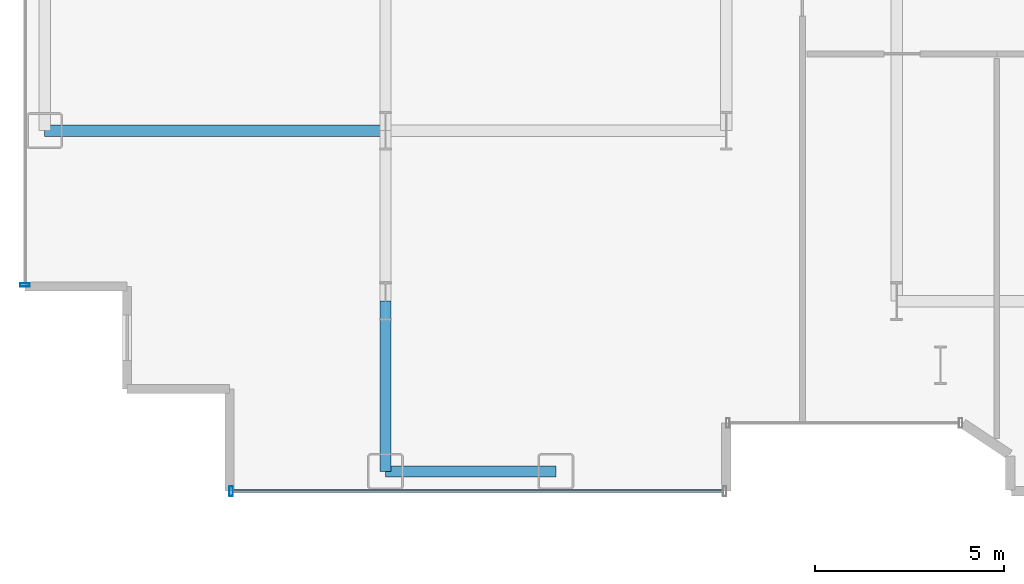
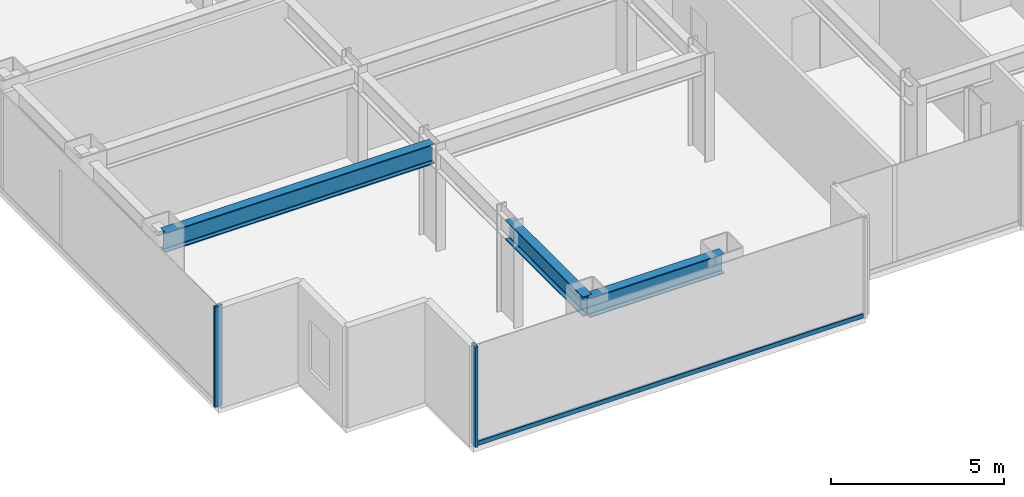
# One storey, part 2 of 25: 3 beams, 3 members, 2 elements without a shape of their own.
"""IFC4 building model written with IfcOpenShell, lengths in metres."""

from ifc_helpers import new_model, si_unit, direction, frame, origin, origin_2d, place, context, subcontext, project, spatial, hollow_rectangle, i_section, extrude, source, transform, mapped, material, layer, layer_set, material_profile, profile_set, type_object, element, aggregate, save


model = new_model("IFC4")

# Units and contexts
model_context = context("Model", 3, precision=1e-05, world=origin(), true_north=direction((0.0, 1.0)))
body_context = subcontext(model_context, "Body", "Model", "MODEL_VIEW")
ifc_project = project(units=[si_unit("LENGTHUNIT", "METRE"), si_unit("AREAUNIT", "SQUARE_METRE"), si_unit("VOLUMEUNIT", "CUBIC_METRE"), si_unit("PLANEANGLEUNIT", "RADIAN"), si_unit("MASSUNIT", "GRAM", prefix="KILO")], contexts=[model_context])

# Site, building, storey
site_placement = place(None, origin())
site = spatial("IfcSite", under=ifc_project, at=site_placement, CompositionType="ELEMENT")
building_placement = place(site_placement, origin())
building = spatial("IfcBuilding", under=site, at=building_placement, Name="Nefas-Gora Pilgrimage Tower", CompositionType="ELEMENT")
storey_placement = place(building_placement, frame((0.0, 0.0, 52.0)))
storey = spatial("IfcBuildingStorey", under=building, at=storey_placement, Name="L11", CompositionType="ELEMENT", Elevation=52.0)

# Beams
ifc_material_1 = material(Name="Steel S355", Category="steel")
ifc_material_profile_1 = material_profile(ifc_material_1, i_section(OverallWidth=0.300048828125, OverallDepth=0.699951171875, WebThickness=0.01708984375, FlangeThickness=0.031982421875, FilletRadius=0.027099609375, at=origin_2d()), Name="HEB 700")
ifc_profile_set_1 = profile_set([ifc_material_profile_1], Name="Steel S355")
beam_type_1 = type_object("IfcBeamType", Name="BM-SPN-HEB600", PredefinedType="SPANDREL", material=ifc_profile_set_1)
shared_shape_1 = source(origin(), body_context, "Body", "SweptSolid", [
    extrude(i_section(OverallWidth=0.300048828125, OverallDepth=0.699951171875, WebThickness=0.01708984375, FlangeThickness=0.031982421875, FilletRadius=0.027099609375, at=origin_2d()), origin(), (0.0, 0.0, 1.0), 4.5),
])
beam_1_placement = place(storey_placement, frame((-24.75, -22.5, 3.199951171875), z_axis=(1.0, 0.0, 0.0), x_axis=(0.0, 1.0, 0.0)))
element("IfcBeam", 1, at=beam_1_placement, inside=storey, type_object=beam_type_1, Name="L11 SP-01 beam", PredefinedType="SPANDREL", context=body_context, shape_type="MappedRepresentation", body=[
    mapped(shared_shape_1, transform((0.0, 0.0, 0.0), x_axis=(1.0, 0.0, 0.0), y_axis=(0.0, 1.0, 0.0), z_axis=(0.0, 0.0, 1.0), scale=1.0)),
])
ifc_material_profile_2 = material_profile(ifc_material_1, i_section(OverallWidth=0.300048828125, OverallDepth=0.699951171875, WebThickness=0.01708984375, FlangeThickness=0.031982421875, FilletRadius=0.027099609375, at=origin_2d()), Name="HEB 700")
ifc_profile_set_2 = profile_set([ifc_material_profile_2], Name="Steel S355")
beam_type_2 = type_object("IfcBeamType", Name="BM-GIR-HEB700", PredefinedType="BEAM", material=ifc_profile_set_2)
shared_shape_2 = source(origin(), body_context, "Body", "SweptSolid", [
    extrude(i_section(OverallWidth=0.300048828125, OverallDepth=0.699951171875, WebThickness=0.01708984375, FlangeThickness=0.031982421875, FilletRadius=0.027099609375, at=origin_2d()), origin(), (0.0, 0.0, 1.0), 9.0),
])
beam_2_placement = place(storey_placement, frame((-33.75, -13.5, 3.199951171875), z_axis=(1.0, 0.0, 0.0), x_axis=(0.0, 1.0, 0.0)))
element("IfcBeam", 2, at=beam_2_placement, inside=storey, type_object=beam_type_2, Name="L11 G-02 beam", PredefinedType="BEAM", context=body_context, shape_type="MappedRepresentation", body=[
    mapped(shared_shape_2, transform((0.0, 0.0, 0.0), x_axis=(1.0, 0.0, 0.0), y_axis=(0.0, 1.0, 0.0), z_axis=(0.0, 0.0, 1.0), scale=1.0)),
])
shared_shape_3 = source(origin(), body_context, "Body", "SweptSolid", [
    extrude(i_section(OverallWidth=0.300048828125, OverallDepth=0.699951171875, WebThickness=0.01708984375, FlangeThickness=0.031982421875, FilletRadius=0.027099609375, at=origin_2d()), origin(), (0.0, 0.0, 1.0), 4.5),
])
beam_3_placement = place(storey_placement, frame((-24.75, -22.5, 3.199951171875), z_axis=(0.0, 1.0, 0.0), x_axis=(-1.0, 0.0, 0.0)))
element("IfcBeam", 3, at=beam_3_placement, inside=storey, type_object=beam_type_2, Name="L11 G-02 beam", PredefinedType="BEAM", context=body_context, shape_type="MappedRepresentation", body=[
    mapped(shared_shape_3, transform((0.0, 0.0, 0.0), x_axis=(1.0, 0.0, 0.0), y_axis=(0.0, 1.0, 0.0), z_axis=(0.0, 0.0, 1.0), scale=1.0)),
])

# Curtain wall, member
ifc_material_2 = material(Name="Dark ceramic-fritted solar-control aluminium-glass curtain wall", Category="aluminium")
ifc_layer = layer(ifc_material_2, 0.219970703125)
ifc_layer_set = layer_set([ifc_layer], Name="Dark ceramic-fritted solar-control aluminium-glass curtain wall")
curtain_wall_type = type_object("IfcCurtainWallType", Name="CW-SYS-2", PredefinedType="NOTDEFINED", material=ifc_layer_set)
curtain_wall_1_placement = place(storey_placement, origin())
curtain_wall_1 = element("IfcCurtainWall", 4, at=curtain_wall_1_placement, inside=storey, type_object=curtain_wall_type, Name="L11 Unitised Curtain Wall CW2", PredefinedType="NOTDEFINED")
ifc_material_3 = material(Name="Anodised architectural aluminium", Category="aluminium")
ifc_material_profile_3 = material_profile(ifc_material_3, hollow_rectangle(XDim=0.090087890625, YDim=0.260009765625, WallThickness=0.006103515625, InnerFilletRadius=0.006103515625, OuterFilletRadius=0.011962890625, at=origin_2d()), Name="ALU MULLION 90x260")
ifc_profile_set_3 = profile_set([ifc_material_profile_3], Name="Anodised architectural aluminium")
member_type_1 = type_object("IfcMemberType", Name="CWM-MUL-2", PredefinedType="MULLION", material=ifc_profile_set_3)
shared_shape_4 = source(origin(), body_context, "Body", "SweptSolid", [
    extrude(hollow_rectangle(XDim=0.090087890625, YDim=0.260009765625, WallThickness=0.006103515625, InnerFilletRadius=0.006103515625, OuterFilletRadius=0.011962890625, at=origin_2d()), origin(), (0.0, 0.0, 1.0), 3.550048828125),
])
member_1_placement = place(storey_placement, frame((-34.27001953125, -17.574951171875, 0.0), z_axis=(0.0, 0.0, 1.0), x_axis=(0.0, -1.0, 0.0)))
member_1 = element("IfcMember", 5, at=member_1_placement, type_object=member_type_1, Name="CW2 Mullion 2", PredefinedType="MULLION", context=body_context, shape_type="MappedRepresentation", body=[
    mapped(shared_shape_4, transform((0.0, 0.0, 0.0), x_axis=(1.0, 0.0, 0.0), y_axis=(0.0, 1.0, 0.0), z_axis=(0.0, 0.0, 1.0), scale=1.0)),
])
aggregate(curtain_wall_1, [member_1])

# Curtain wall, members
curtain_wall_2_placement = place(storey_placement, origin())
curtain_wall_2 = element("IfcCurtainWall", 6, at=curtain_wall_2_placement, inside=storey, type_object=curtain_wall_type, Name="L11 Unitised Curtain Wall CW2", PredefinedType="NOTDEFINED")
member_2_placement = place(storey_placement, frame((-28.824951171875, -23.02001953125, 0.0), z_axis=(0.0, 0.0, 1.0), x_axis=(1.0, 0.0, 0.0)))
member_2 = element("IfcMember", 7, at=member_2_placement, type_object=member_type_1, Name="CW2 Mullion 1", PredefinedType="MULLION", context=body_context, shape_type="MappedRepresentation", body=[
    mapped(shared_shape_4, transform((0.0, 0.0, 0.0), x_axis=(1.0, 0.0, 0.0), y_axis=(0.0, 1.0, 0.0), z_axis=(0.0, 0.0, 1.0), scale=1.0)),
])
ifc_material_profile_4 = material_profile(ifc_material_3, hollow_rectangle(XDim=0.080078125, YDim=0.159912109375, WallThickness=0.00439453125, InnerFilletRadius=0.00439453125, OuterFilletRadius=0.009033203125, at=origin_2d()), Name="ALU TRANSOM 80x160")
ifc_profile_set_4 = profile_set([ifc_material_profile_4], Name="Anodised architectural aluminium")
member_type_2 = type_object("IfcMemberType", Name="CWM-TRN-2", PredefinedType="USERDEFINED", material=ifc_profile_set_4)
shared_shape_5 = source(origin(), body_context, "Body", "SweptSolid", [
    extrude(hollow_rectangle(XDim=0.080078125, YDim=0.159912109375, WallThickness=0.00439453125, InnerFilletRadius=0.00439453125, OuterFilletRadius=0.009033203125, at=origin_2d()), origin(), (0.0, 0.0, 1.0), 12.93994140625),
])
member_3_placement = place(storey_placement, frame((-28.780029296875, -23.02001953125, 0.050048828125), z_axis=(1.0, 0.0, 0.0), x_axis=(0.0, 1.0, 0.0)))
member_3 = element("IfcMember", 8, at=member_3_placement, type_object=member_type_2, Name="CW2 Spandrel Transom", ObjectType="TRANSOM", PredefinedType="USERDEFINED", context=body_context, shape_type="MappedRepresentation", body=[
    mapped(shared_shape_5, transform((0.0, 0.0, 0.0), x_axis=(1.0, 0.0, 0.0), y_axis=(0.0, 1.0, 0.0), z_axis=(0.0, 0.0, 1.0), scale=1.0)),
])
aggregate(curtain_wall_2, [member_2, member_3])

save(model, "model.ifc")
